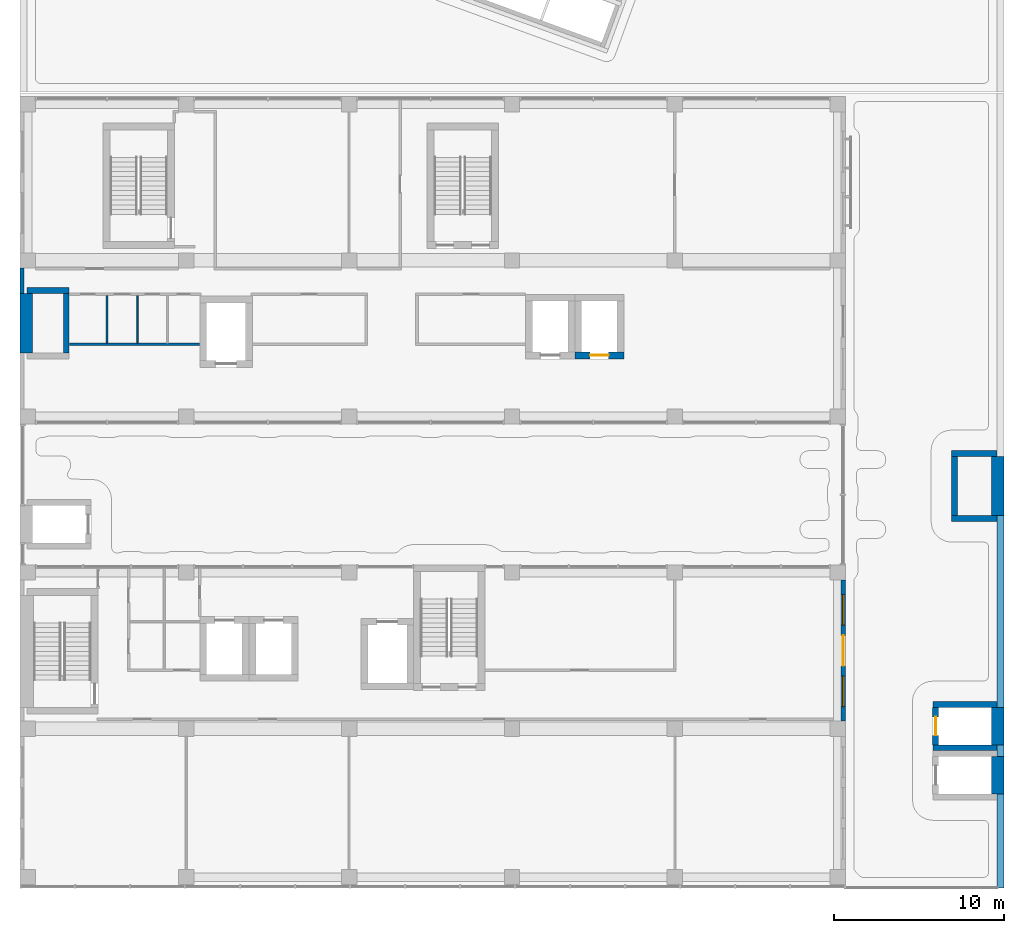
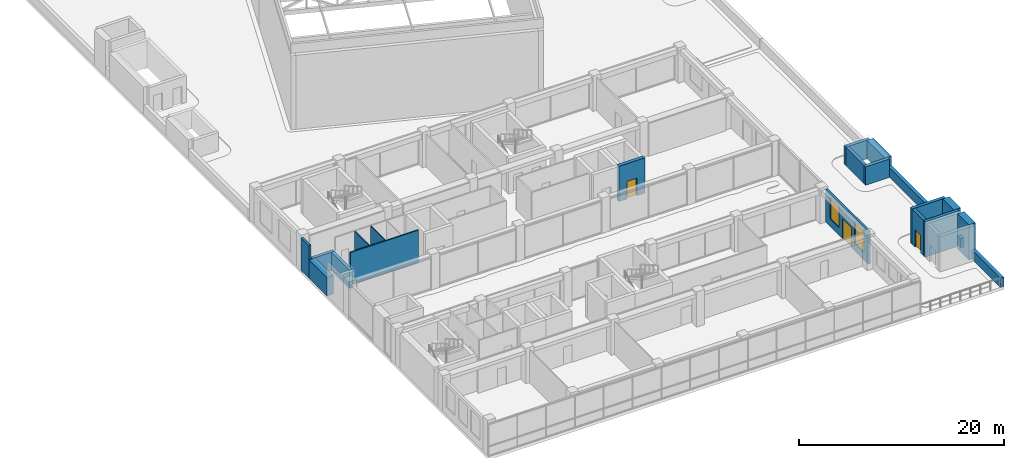
# One storey, part 60 of 72: 21 walls, 3 doors, 2 windows, 5 openings.
"""IFC4 building model written with IfcOpenShell, lengths in metres."""

from ifc_helpers import new_model, si_unit, direction, frame, frame_2d, origin, place, context, subcontext, project, spatial, rectangle, extrude, material, layer, layer_set, layer_usage, type_object, element, fill, save


model = new_model("IFC4")

# Units and contexts
model_context = context("Model", 3, precision=1e-05, world=origin(), true_north=direction((0.0, 1.0)))
body_context = subcontext(model_context, "Body", "Model", "MODEL_VIEW")
ifc_project = project(units=[si_unit("LENGTHUNIT", "METRE"), si_unit("AREAUNIT", "SQUARE_METRE"), si_unit("VOLUMEUNIT", "CUBIC_METRE"), si_unit("PLANEANGLEUNIT", "RADIAN"), si_unit("MASSUNIT", "GRAM", prefix="KILO")], contexts=[model_context])

# Site, building, storey
site_placement = place(None, origin())
site = spatial("IfcSite", under=ifc_project, at=site_placement, CompositionType="ELEMENT")
building_placement = place(site_placement, origin())
building = spatial("IfcBuilding", under=site, at=building_placement, Name="Nzadi Deep Aquarium and Research Tower", CompositionType="ELEMENT")
storey_placement = place(building_placement, frame((0.0, 0.0, 31.89990234375)))
storey = spatial("IfcBuildingStorey", under=building, at=storey_placement, Name="L05", CompositionType="ELEMENT", Elevation=31.89990234375)

# Wall, openings, windows, door
ifc_material_1 = material(Name="Concrete C35/45", Category="concrete")
ifc_layer_1 = layer(ifc_material_1, 0.14990234375, Category="cladding")
ifc_material_2 = material(Name="Mineral wool insulation")
ifc_layer_2 = layer(ifc_material_2, 0.070068359375, Category="insulation")
ifc_material_3 = material(Name="Gypsum board lining")
ifc_layer_3 = layer(ifc_material_3, 0.030029296875, Category="lining")
ifc_layer_set_1 = layer_set([ifc_layer_1, ifc_layer_2, ifc_layer_3], Name="Concrete C35/45, Mineral wool insulation, Gypsum board lining")
ifc_layer_usage_1 = layer_usage(ifc_layer_set_1, "AXIS2", "POSITIVE", -0.125)
wall_type_1 = type_object("IfcWallType", Name="End wall board-formed concrete 250", PredefinedType="ELEMENTEDWALL", material=ifc_layer_set_1)
wall_1_placement = place(storey_placement, frame((48.324951171875, 9.64990234375, 0.0), z_axis=(0.0, 0.0, 1.0), x_axis=(0.0, 1.0, 0.0)))
wall_1 = element("IfcWall", 1, at=wall_1_placement, inside=storey, type_object=wall_type_1, material=ifc_layer_usage_1, Name="End wall blade A east L05", PredefinedType="ELEMENTEDWALL", context=body_context, shape_type="SweptSolid", body=[
    extrude(rectangle(XDim=8.300048828125, YDim=0.25, at=frame_2d((4.14990234375, 0.0))), origin(), (0.0, 0.0, 1.0), 3.900146484375),
])
opening_1_placement = place(wall_1_placement, frame((3.25, 0.0, 0.0)))
opening_1 = element("IfcOpeningElement", 2, at=opening_1_placement, cuts=wall_1, Name="Opening DE001", PredefinedType="OPENING", context=body_context, shape_type="SweptSolid", body=[
    extrude(rectangle(XDim=1.800048828125, YDim=2.39990234375, at=frame_2d((0.89990234375, 1.199951171875))), frame((0.0, 0.135009765625, 0.0), z_axis=(0.0, -1.0, 0.0), x_axis=(1.0, 0.0, 0.0)), (0.0, 0.0, 1.0), 0.27001953125),
])
opening_2_placement = place(wall_1_placement, frame((0.85009765625, 0.0, 0.89990234375)))
opening_2 = element("IfcOpeningElement", 3, at=opening_2_placement, cuts=wall_1, Name="Opening WN01", PredefinedType="OPENING", context=body_context, shape_type="SweptSolid", body=[
    extrude(rectangle(XDim=1.800048828125, YDim=2.60009765625, at=frame_2d((0.89990234375, 1.300048828125))), frame((0.0, 0.135009765625, 0.0), z_axis=(0.0, -1.0, 0.0), x_axis=(1.0, 0.0, 0.0)), (0.0, 0.0, 1.0), 0.27001953125),
])
opening_3_placement = place(wall_1_placement, frame((5.64990234375, 0.0, 0.89990234375)))
opening_3 = element("IfcOpeningElement", 4, at=opening_3_placement, cuts=wall_1, Name="Opening WN01", PredefinedType="OPENING", context=body_context, shape_type="SweptSolid", body=[
    extrude(rectangle(XDim=1.800048828125, YDim=2.60009765625, at=frame_2d((0.89990234375, 1.300048828125))), frame((0.0, 0.135009765625, 0.0), z_axis=(0.0, -1.0, 0.0), x_axis=(1.0, 0.0, 0.0)), (0.0, 0.0, 1.0), 0.27001953125),
])
ifc_material_4 = material(Name="Aluminium window, sage tint glazing", Category="aluminium")
window_type = type_object("IfcWindowType", Name="Slot window 1800x2600 sill 900", PartitioningType="SINGLE_PANEL", PredefinedType="WINDOW", material=ifc_material_4)
window_1_placement = place(opening_2_placement, origin())
window_1 = element("IfcWindow", 5, at=window_1_placement, inside=storey, type_object=window_type, Name="Slot window L05 AE", OverallHeight=2.60009765625, OverallWidth=1.800048828125, PartitioningType="SINGLE_PANEL", PredefinedType="WINDOW", context=body_context, shape_type="SweptSolid", body=[
    extrude(rectangle(XDim=1.800048828125, YDim=2.60009765625, at=frame_2d((0.89990234375, 1.300048828125))), frame((0.0, 0.030029296875, 0.0), z_axis=(0.0, -1.0, 0.0), x_axis=(1.0, 0.0, 0.0)), (0.0, 0.0, 1.0), 0.06005859375),
])
fill(opening_2, window_1)
window_2_placement = place(opening_3_placement, origin())
window_2 = element("IfcWindow", 6, at=window_2_placement, inside=storey, type_object=window_type, Name="Slot window L05 AE", OverallHeight=2.60009765625, OverallWidth=1.800048828125, PartitioningType="SINGLE_PANEL", PredefinedType="WINDOW", context=body_context, shape_type="SweptSolid", body=[
    extrude(rectangle(XDim=1.800048828125, YDim=2.60009765625, at=frame_2d((0.89990234375, 1.300048828125))), frame((0.0, 0.030029296875, 0.0), z_axis=(0.0, -1.0, 0.0), x_axis=(1.0, 0.0, 0.0)), (0.0, 0.0, 1.0), 0.06005859375),
])
fill(opening_3, window_2)
ifc_material_5 = material(Name="Aluminium framed glazing", Category="aluminium")
door_type_1 = type_object("IfcDoorType", Name="Terrace double door 1800x2400", OperationType="DOUBLE_DOOR_SINGLE_SWING", PredefinedType="DOOR", material=ifc_material_5)
door_1_placement = place(opening_1_placement, frame((1.800048828125, 0.0, 0.0), z_axis=(0.0, 0.0, 1.0), x_axis=(-1.0, 0.0, 0.0)))
door_1 = element("IfcDoor", 7, at=door_1_placement, inside=storey, type_object=door_type_1, Name="Terrace door L05", OperationType="DOUBLE_DOOR_SINGLE_SWING", OverallHeight=2.39990234375, OverallWidth=1.800048828125, PredefinedType="DOOR", context=body_context, shape_type="SweptSolid", body=[
    extrude(rectangle(XDim=1.800048828125, YDim=2.39990234375, at=frame_2d((0.89990234375, 1.199951171875))), frame((0.0, 0.02490234375, 0.0), z_axis=(0.0, -1.0, 0.0), x_axis=(1.0, 0.0, 0.0)), (0.0, 0.0, 1.0), 0.050048828125),
])
fill(opening_1, door_1)

# Walls
ifc_layer_usage_2 = layer_usage(ifc_layer_set_1, "AXIS2", "POSITIVE", -0.125)
wall_2_placement = place(storey_placement, frame((-0.074462890625, 36.35009765625, 0.0), z_axis=(0.0, 0.0, 1.0), x_axis=(0.0, -1.0, 0.0)))
element("IfcWall", 8, at=wall_2_placement, inside=storey, type_object=wall_type_1, material=ifc_layer_usage_2, Name="End wall blade B west L05", PredefinedType="ELEMENTEDWALL", context=body_context, shape_type="SweptSolid", body=[
    extrude(rectangle(XDim=1.5, YDim=0.25, at=frame_2d((0.75, 0.0))), origin(), (0.0, 0.0, 1.0), 3.900146484375),
])
ifc_layer_4 = layer(ifc_material_1, 0.39990234375, Category="structure")
ifc_layer_set_2 = layer_set([ifc_layer_4], Name="Concrete C35/45")
ifc_layer_usage_3 = layer_usage(ifc_layer_set_2, "AXIS2", "POSITIVE", -0.199951171875)
wall_type_2 = type_object("IfcWallType", Name="Parapet board-formed concrete 400 podium roof", PredefinedType="PARAPET", material=ifc_layer_set_2)
wall_3_placement = place(storey_placement, frame((57.599609375, -0.199951171875, 0.0), z_axis=(0.0, 0.0, 1.0), x_axis=(0.0, 1.0, 0.0)))
element("IfcWall", 9, at=wall_3_placement, inside=storey, type_object=wall_type_2, material=ifc_layer_usage_3, Name="Parapet", PredefinedType="PARAPET", context=body_context, shape_type="SweptSolid", body=[
    extrude(rectangle(XDim=5.550048828125, YDim=0.39990234375, at=frame_2d((2.77490234375, 0.0))), origin(), (0.0, 0.0, 1.0), 1.10009765625),
])
ifc_layer_usage_4 = layer_usage(ifc_layer_set_2, "AXIS2", "POSITIVE", -0.199951171875)
wall_4_placement = place(storey_placement, frame((57.599609375, 7.550048828125, 0.0), z_axis=(0.0, 0.0, 1.0), x_axis=(0.0, 1.0, 0.0)))
element("IfcWall", 10, at=wall_4_placement, inside=storey, type_object=wall_type_2, material=ifc_layer_usage_4, Name="Parapet", PredefinedType="PARAPET", context=body_context, shape_type="SweptSolid", body=[
    extrude(rectangle(XDim=0.699951171875, YDim=0.39990234375, at=frame_2d((0.35009765625, 0.0))), origin(), (0.0, 0.0, 1.0), 1.10009765625),
])
ifc_layer_usage_5 = layer_usage(ifc_layer_set_2, "AXIS2", "POSITIVE", -0.199951171875)
wall_5_placement = place(storey_placement, frame((57.599609375, 10.449951171875, 0.0), z_axis=(0.0, 0.0, 1.0), x_axis=(0.0, 1.0, 0.0)))
element("IfcWall", 11, at=wall_5_placement, inside=storey, type_object=wall_type_2, material=ifc_layer_usage_5, Name="Parapet", PredefinedType="PARAPET", context=body_context, shape_type="SweptSolid", body=[
    extrude(rectangle(XDim=11.300048828125, YDim=0.39990234375, at=frame_2d((5.64990234375, 0.0))), origin(), (0.0, 0.0, 1.0), 1.10009765625),
])
ifc_material_6 = material(Name="Blockwork masonry", Category="masonry")
ifc_layer_5 = layer(ifc_material_6, 0.10009765625)
ifc_layer_set_3 = layer_set([ifc_layer_5], Name="Blockwork masonry")
wall_type_3 = type_object("IfcWallType", Name="Partition 100 EI 30", PredefinedType="PARTITIONING", material=ifc_layer_set_3)
for number, where, z_axis, x_axis, name in (
    (12, (4.931884765625, 31.925048828125, 0.0), (0.0, 0.0, 1.0), (0.0, 1.0, 0.0), "W-Z1-L05-P006"),
    (13, (6.71728515625, 31.925048828125, 0.0), (0.0, 0.0, 1.0), (0.0, 1.0, 0.0), "W-Z1-L05-P010"),
):
    element("IfcWall", number, at=place(storey_placement, frame(where, z_axis=z_axis, x_axis=x_axis)), inside=storey, type_object=wall_type_3, Name=name, PredefinedType="PARTITIONING", context=body_context, shape_type="SweptSolid", body=[
        extrude(rectangle(XDim=2.800048828125, YDim=0.10009765625, at=frame_2d((1.39990234375, 0.0))), origin(), (0.0, 0.0, 1.0), 3.900146484375),
    ])
ifc_material_7 = material(Name="Blockwork masonry", Category="masonry")
ifc_layer_6 = layer(ifc_material_7, 0.14990234375)
ifc_layer_set_4 = layer_set([ifc_layer_6], Name="Blockwork masonry")
wall_type_4 = type_object("IfcWallType", Name="Partition 150 EI 60", PredefinedType="PARTITIONING", material=ifc_layer_set_4)
wall_6_placement = place(storey_placement, frame((2.7060546875, 31.85009765625, 0.0), z_axis=(0.0, 0.0, 1.0), x_axis=(1.0, 0.0, 0.0)))
element("IfcWall", 14, at=wall_6_placement, inside=storey, type_object=wall_type_4, Name="W-Z1-L05-P002", PredefinedType="PARTITIONING", context=body_context, shape_type="SweptSolid", body=[
    extrude(rectangle(XDim=7.68798828125, YDim=0.14990234375, at=frame_2d((3.843994140625, 0.0))), origin(), (0.0, 0.0, 1.0), 3.900146484375),
])
ifc_material_8 = material(Name="Concrete C35/45", Category="concrete")
ifc_layer_7 = layer(ifc_material_8, 0.35009765625)
ifc_layer_set_5 = layer_set([ifc_layer_7], Name="Concrete C35/45")
wall_type_5 = type_object("IfcWallType", Name="RC core wall 350", PredefinedType="SHEAR", material=ifc_layer_set_5)
for number, where, z_axis, x_axis, name in (
    (15, (53.60009765625, 8.074951171875, 0.0), (0.0, 0.0, 1.0), (1.0, 0.0, 0.0), "W-CORE-PL2-L05-S"),
    (16, (53.60009765625, 10.625, 0.0), (0.0, 0.0, 1.0), (1.0, 0.0, 0.0), "W-CORE-PL2-L05-N"),
):
    element("IfcWall", number, at=place(storey_placement, frame(where, z_axis=z_axis, x_axis=x_axis)), inside=storey, type_object=wall_type_5, Name=name, PredefinedType="SHEAR", context=body_context, shape_type="SweptSolid", body=[
        extrude(rectangle(XDim=3.7998046875, YDim=0.35009765625, at=frame_2d((1.89990234375, 0.0))), origin(), (0.0, 0.0, 1.0), 4.2001953125),
    ])

# Wall, opening, door
wall_7_placement = place(storey_placement, frame((53.77490234375, 8.25, 0.0), z_axis=(0.0, 0.0, 1.0), x_axis=(0.0, 1.0, 0.0)))
wall_7 = element("IfcWall", 17, at=wall_7_placement, inside=storey, type_object=wall_type_5, Name="W-CORE-PL2-L05-W", PredefinedType="SHEAR", context=body_context, shape_type="SweptSolid", body=[
    extrude(rectangle(XDim=2.199951171875, YDim=0.35009765625, at=frame_2d((1.10009765625, 0.0))), origin(), (0.0, 0.0, 1.0), 4.2001953125),
])
opening_4_placement = place(wall_7_placement, frame((0.550048828125, 0.0, 0.0)))
opening_4 = element("IfcOpeningElement", 18, at=opening_4_placement, cuts=wall_7, Name="Opening LD-PL2-L05", PredefinedType="OPENING", context=body_context, shape_type="SweptSolid", body=[
    extrude(rectangle(XDim=1.10009765625, YDim=2.10009765625, at=frame_2d((0.550048828125, 1.050048828125))), frame((0.0, 0.18505859375, 0.0), z_axis=(0.0, -1.0, 0.0), x_axis=(1.0, 0.0, 0.0)), (0.0, 0.0, 1.0), 0.3701171875),
])
ifc_material_9 = material(Name="Stainless steel 1.4301", Category="steel")
door_type_2 = type_object("IfcDoorType", Name="LANDING DOOR 1100x2100", OperationType="DOUBLE_DOOR_SLIDING", PredefinedType="DOOR", material=ifc_material_9)
door_2_placement = place(opening_4_placement, origin())
door_2 = element("IfcDoor", 19, at=door_2_placement, inside=storey, type_object=door_type_2, Name="Landing door PL2 L05", OperationType="DOUBLE_DOOR_SLIDING", OverallHeight=2.10009765625, OverallWidth=1.10009765625, PredefinedType="DOOR", context=body_context, shape_type="SweptSolid", body=[
    extrude(rectangle(XDim=1.10009765625, YDim=2.10009765625, at=frame_2d((0.550048828125, 1.050048828125))), frame((0.0, 0.02490234375, 0.0), z_axis=(0.0, -1.0, 0.0), x_axis=(1.0, 0.0, 0.0)), (0.0, 0.0, 1.0), 0.050048828125),
])
fill(opening_4, door_2)

# Walls
ifc_material_10 = material(Name="Concrete C35/45", Category="concrete")
ifc_layer_8 = layer(ifc_material_10, 0.35009765625)
ifc_layer_set_6 = layer_set([ifc_layer_8], Name="Concrete C35/45")
wall_type_6 = type_object("IfcWallType", Name="RC core wall 350, 2.20 m high", PredefinedType="SHEAR", material=ifc_layer_set_6)
wall_8_placement = place(storey_placement, frame((0.199951171875, 35.02490234375, 0.0), z_axis=(0.0, 0.0, 1.0), x_axis=(1.0, 0.0, 0.0)))
element("IfcWall", 20, at=wall_8_placement, inside=storey, type_object=wall_type_6, Name="W-CORE-RS-Z1-W-L05-N", PredefinedType="SHEAR", context=body_context, shape_type="SweptSolid", body=[
    extrude(rectangle(XDim=2.5, YDim=0.35009765625, at=frame_2d((1.25, 0.0))), origin(), (0.0, 0.0, 1.0), 2.2001953125),
])
wall_9_placement = place(storey_placement, frame((2.52490234375, 31.35009765625, 0.0), z_axis=(0.0, 0.0, 1.0), x_axis=(0.0, 1.0, 0.0)))
element("IfcWall", 21, at=wall_9_placement, inside=storey, type_object=wall_type_6, Name="W-CORE-RS-Z1-W-L05-E", PredefinedType="SHEAR", context=body_context, shape_type="SweptSolid", body=[
    extrude(rectangle(XDim=3.5, YDim=0.35009765625, at=frame_2d((1.75, 0.0))), origin(), (0.0, 0.0, 1.0), 2.2001953125),
])
for number, where, z_axis, x_axis, name in (
    (22, (54.699951171875, 21.574951171875, 0.0), (0.0, 0.0, 1.0), (1.0, 0.0, 0.0), "W-CORE-RS-Z1-E-L05-S"),
    (23, (54.699951171875, 25.425048828125, 0.0), (0.0, 0.0, 1.0), (1.0, 0.0, 0.0), "W-CORE-RS-Z1-E-L05-N"),
):
    element("IfcWall", number, at=place(storey_placement, frame(where, z_axis=z_axis, x_axis=x_axis)), inside=storey, type_object=wall_type_6, Name=name, PredefinedType="SHEAR", context=body_context, shape_type="SweptSolid", body=[
        extrude(rectangle(XDim=2.699951171875, YDim=0.35009765625, at=frame_2d((1.35009765625, 0.0))), origin(), (0.0, 0.0, 1.0), 2.2001953125),
    ])
wall_10_placement = place(storey_placement, frame((54.875, 21.75, 0.0), z_axis=(0.0, 0.0, 1.0), x_axis=(0.0, 1.0, 0.0)))
element("IfcWall", 24, at=wall_10_placement, inside=storey, type_object=wall_type_6, Name="W-CORE-RS-Z1-E-L05-W", PredefinedType="SHEAR", context=body_context, shape_type="SweptSolid", body=[
    extrude(rectangle(XDim=3.5, YDim=0.35009765625, at=frame_2d((1.75, 0.0))), origin(), (0.0, 0.0, 1.0), 2.2001953125),
])

# Wall, opening, door
ifc_material_11 = material(Name="Concrete C35/45", Category="concrete")
ifc_layer_9 = layer(ifc_material_11, 0.39990234375)
ifc_layer_set_7 = layer_set([ifc_layer_9], Name="Concrete C35/45")
wall_type_7 = type_object("IfcWallType", Name="RC core wall 400", PredefinedType="SHEAR", material=ifc_layer_set_7)
wall_11_placement = place(storey_placement, frame((32.5, 31.199951171875, 0.0), z_axis=(0.0, 0.0, 1.0), x_axis=(1.0, 0.0, 0.0)))
wall_11 = element("IfcWall", 25, at=wall_11_placement, inside=storey, type_object=wall_type_7, Name="W-CORE-TL4-L05-S", PredefinedType="SHEAR", context=body_context, shape_type="SweptSolid", body=[
    extrude(rectangle(XDim=2.89990234375, YDim=0.39990234375, at=frame_2d((1.449951171875, 0.0))), origin(), (0.0, 0.0, 1.0), 4.2001953125),
])
opening_5_placement = place(wall_11_placement, frame((0.89990234375, 0.0, 0.0)))
opening_5 = element("IfcOpeningElement", 26, at=opening_5_placement, cuts=wall_11, Name="Opening LD-TL4-L05", PredefinedType="OPENING", context=body_context, shape_type="SweptSolid", body=[
    extrude(rectangle(XDim=1.10009765625, YDim=2.10009765625, at=frame_2d((0.550048828125, 1.050048828125))), frame((0.0, 0.2099609375, 0.0), z_axis=(0.0, -1.0, 0.0), x_axis=(1.0, 0.0, 0.0)), (0.0, 0.0, 1.0), 0.419921875),
])
door_3_placement = place(opening_5_placement, origin())
door_3 = element("IfcDoor", 27, at=door_3_placement, inside=storey, type_object=door_type_2, Name="Landing door TL4 L05", OperationType="DOUBLE_DOOR_SLIDING", OverallHeight=2.10009765625, OverallWidth=1.10009765625, PredefinedType="DOOR", context=body_context, shape_type="SweptSolid", body=[
    extrude(rectangle(XDim=1.10009765625, YDim=2.10009765625, at=frame_2d((0.550048828125, 1.050048828125))), frame((0.0, 0.02490234375, 0.0), z_axis=(0.0, -1.0, 0.0), x_axis=(1.0, 0.0, 0.0)), (0.0, 0.0, 1.0), 0.050048828125),
])
fill(opening_5, door_3)

# Walls
ifc_material_12 = material(Name="Concrete C35/45", Category="concrete")
ifc_layer_10 = layer(ifc_material_12, 0.75)
ifc_layer_set_8 = layer_set([ifc_layer_10], Name="Concrete C35/45")
wall_type_8 = type_object("IfcWallType", Name="RC core wall 750", PredefinedType="SHEAR", material=ifc_layer_set_8)
for number, where, z_axis, x_axis, name in (
    (28, (57.424560546875, 5.35009765625, 0.0), (0.0, 0.0, 1.0), (0.0, 1.0, 0.0), "W-CORE-EL2-L05-E"),
    (29, (57.424560546875, 8.25, 0.0), (0.0, 0.0, 1.0), (0.0, 1.0, 0.0), "W-CORE-PL2-L05-E"),
):
    element("IfcWall", number, at=place(storey_placement, frame(where, z_axis=z_axis, x_axis=x_axis)), inside=storey, type_object=wall_type_8, Name=name, PredefinedType="SHEAR", context=body_context, shape_type="SweptSolid", body=[
        extrude(rectangle(XDim=2.199951171875, YDim=0.75, at=frame_2d((1.10009765625, 0.0))), origin(), (0.0, 0.0, 1.0), 4.2001953125),
    ])
ifc_material_13 = material(Name="Concrete C35/45", Category="concrete")
ifc_layer_11 = layer(ifc_material_13, 0.75)
ifc_layer_set_9 = layer_set([ifc_layer_11], Name="Concrete C35/45")
wall_type_9 = type_object("IfcWallType", Name="RC core wall 750, 2.20 m high", PredefinedType="SHEAR", material=ifc_layer_set_9)
for number, where, z_axis, x_axis, name in (
    (30, (0.175537109375, 31.35009765625, 0.0), (0.0, 0.0, 1.0), (0.0, 1.0, 0.0), "W-CORE-RS-Z1-W-L05-W"),
    (31, (57.424560546875, 21.75, 0.0), (0.0, 0.0, 1.0), (0.0, 1.0, 0.0), "W-CORE-RS-Z1-E-L05-E"),
):
    element("IfcWall", number, at=place(storey_placement, frame(where, z_axis=z_axis, x_axis=x_axis)), inside=storey, type_object=wall_type_9, Name=name, PredefinedType="SHEAR", context=body_context, shape_type="SweptSolid", body=[
        extrude(rectangle(XDim=3.5, YDim=0.75, at=frame_2d((1.75, 0.0))), origin(), (0.0, 0.0, 1.0), 2.2001953125),
    ])

save(model, "model.ifc")
